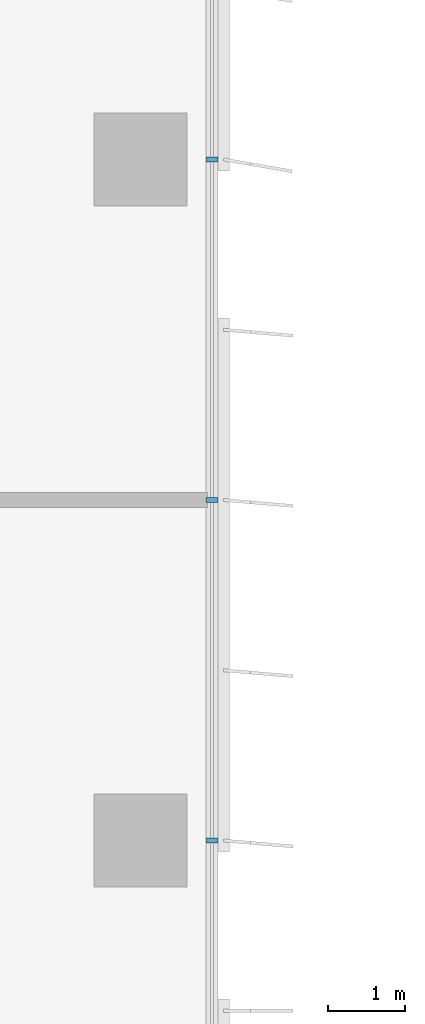
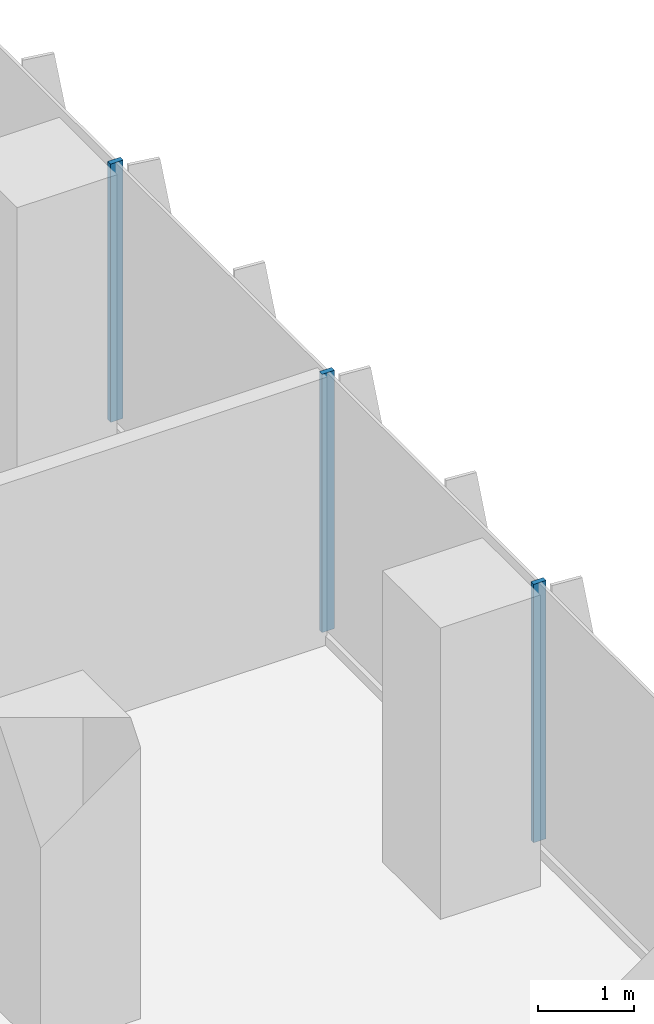
# One storey, part 7 of 27: 3 members, 1 element without a shape of its own.
"""IFC4 building model written with IfcOpenShell, lengths in metres."""

from ifc_helpers import new_model, si_unit, direction, frame, origin, origin_2d, place, context, subcontext, project, spatial, rectangle, extrude, source, transform, mapped, material, material_profile, profile_set, type_object, element, aggregate, save


model = new_model("IFC4")

# Units and contexts
model_context = context("Model", 3, precision=1e-05, world=origin(), true_north=direction((0.0, 1.0)))
body_context = subcontext(model_context, "Body", "Model", "MODEL_VIEW")
ifc_project = project(units=[si_unit("LENGTHUNIT", "METRE"), si_unit("AREAUNIT", "SQUARE_METRE"), si_unit("VOLUMEUNIT", "CUBIC_METRE"), si_unit("PLANEANGLEUNIT", "RADIAN"), si_unit("MASSUNIT", "GRAM", prefix="KILO")], contexts=[model_context])

# Site, building, storey
site_placement = place(None, origin())
site = spatial("IfcSite", under=ifc_project, at=site_placement, CompositionType="ELEMENT")
building_placement = place(site_placement, origin())
building = spatial("IfcBuilding", under=site, at=building_placement, Name="Kemantara Hotel Tower", CompositionType="ELEMENT")
storey_placement = place(building_placement, frame((0.0, 0.0, 83.39990234375)))
storey = spatial("IfcBuildingStorey", under=building, at=storey_placement, Name="L19", CompositionType="ELEMENT", Elevation=83.39990234375)

# Curtain wall, members
ifc_material_1 = material(Name="Low-E tinted double insulated glass 36 mm", Category="glass")
curtain_wall_type = type_object("IfcCurtainWallType", Name="TOWER CURTAIN WALL, FRONT FACES", PredefinedType="USERDEFINED", material=ifc_material_1)
curtain_wall_placement = place(storey_placement, origin())
curtain_wall = element("IfcCurtainWall", 1, at=curtain_wall_placement, inside=storey, type_object=curtain_wall_type, Name="CW4 L19 T2-R14-1", ObjectType="TOWER CURTAIN WALL, FRONT FACES", PredefinedType="USERDEFINED")
ifc_material_2 = material(Name="Aluminium 6063-T6 bronze anodised", Category="aluminium")
ifc_material_profile = material_profile(ifc_material_2, rectangle(XDim=0.14990234375, YDim=0.06005859375, at=origin_2d()), Name="TOWER CURTAIN WALL, FRONT FACES MULLION")
ifc_profile_set = profile_set([ifc_material_profile], Name="Aluminium 6063-T6 bronze anodised")
member_type = type_object("IfcMemberType", Name="TOWER CURTAIN WALL, FRONT FACES MULLION", PredefinedType="MULLION", material=ifc_profile_set)
shared_shape = source(origin(), body_context, "Body", "SweptSolid", [
    extrude(rectangle(XDim=0.14990234375, YDim=0.06005859375, at=origin_2d()), origin(), (0.0, 0.0, 1.0), 3.280029296875),
])
member_1_placement = place(storey_placement, frame((26.72509765625, 53.800048828125, 0.1201171875), z_axis=(0.0, 0.0, 1.0), x_axis=(-1.0, 0.0, 0.0)))
member_1 = element("IfcMember", 2, at=member_1_placement, type_object=member_type, Name="CW4 mullion T2-R14-1.9", PredefinedType="MULLION", context=body_context, shape_type="MappedRepresentation", body=[
    mapped(shared_shape, transform((0.0, 0.0, 0.0))),
])
member_2_placement = place(storey_placement, frame((26.72509765625, 58.199951171875, 0.1201171875), z_axis=(0.0, 0.0, 1.0), x_axis=(-1.0, 0.0, 0.0)))
member_2 = element("IfcMember", 3, at=member_2_placement, type_object=member_type, Name="CW4 mullion T2-R14-1.10", PredefinedType="MULLION", context=body_context, shape_type="MappedRepresentation", body=[
    mapped(shared_shape, transform((0.0, 0.0, 0.0))),
])
member_3_placement = place(storey_placement, frame((26.72509765625, 62.60009765625, 0.1201171875), z_axis=(0.0, 0.0, 1.0), x_axis=(-1.0, 0.0, 0.0)))
member_3 = element("IfcMember", 4, at=member_3_placement, type_object=member_type, Name="CW4 mullion T2-R14-1.11", PredefinedType="MULLION", context=body_context, shape_type="MappedRepresentation", body=[
    mapped(shared_shape, transform((0.0, 0.0, 0.0))),
])
aggregate(curtain_wall, [member_1, member_2, member_3])

save(model, "model.ifc")
